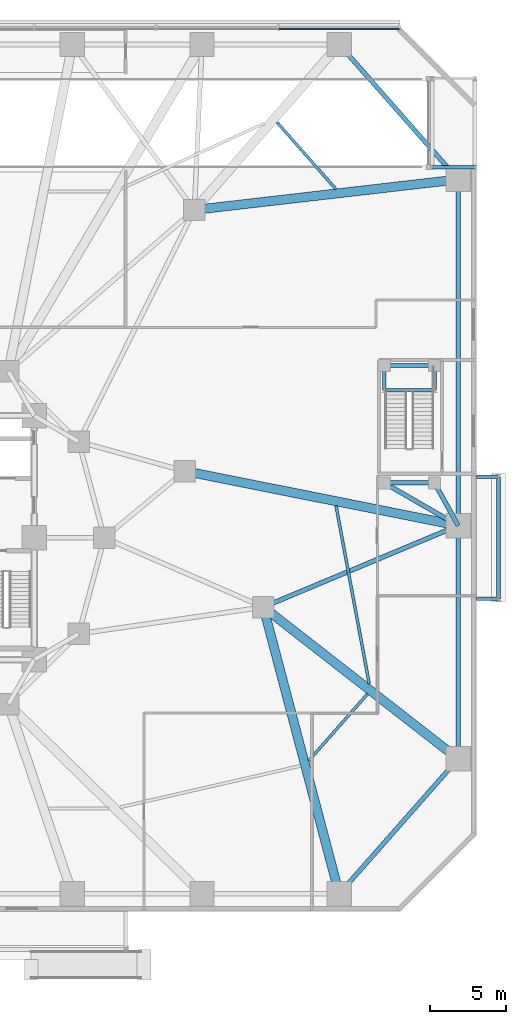
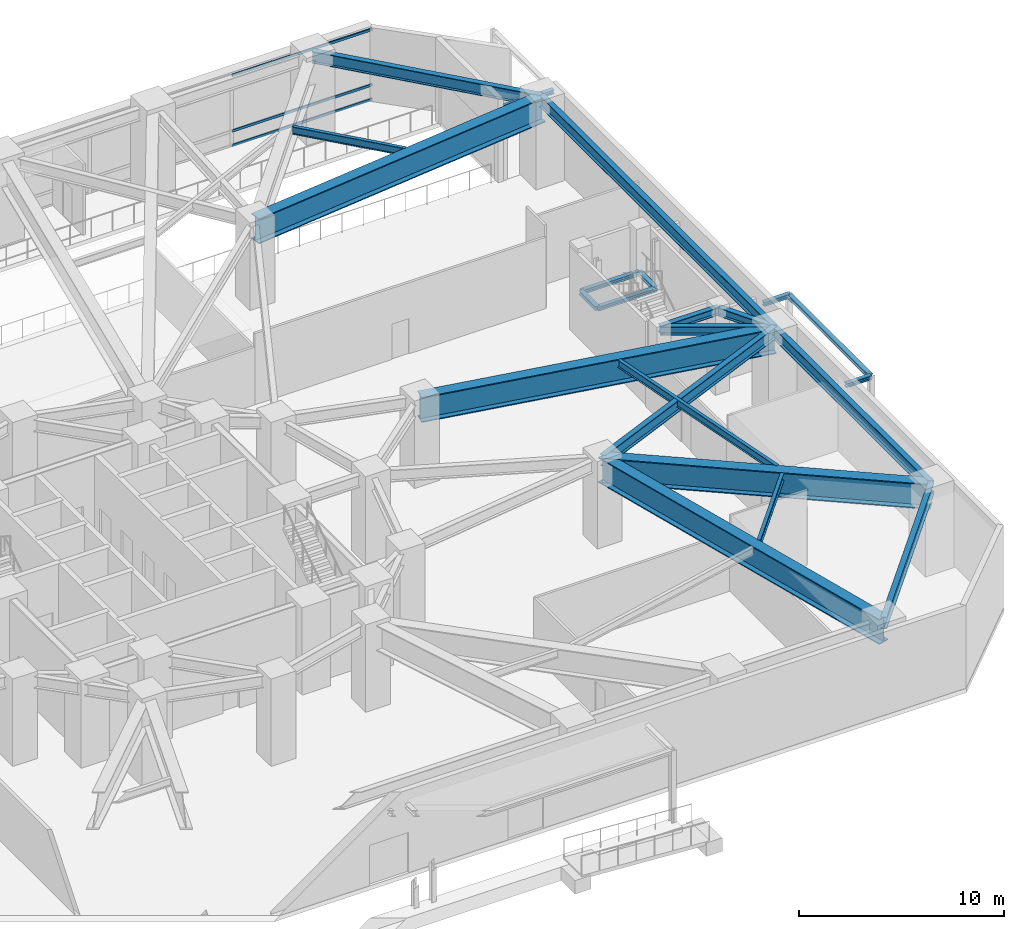
# One storey, part 13 of 30: 23 beams, 3 members, 1 element without a shape of its own.
"""IFC4 building model written with IfcOpenShell, lengths in metres."""

from ifc_helpers import new_model, si_unit, direction, frame, origin, origin_2d, place, context, subcontext, project, spatial, rectangle, i_section, extrude, material, layer, layer_set, material_profile, profile_set, type_object, element, aggregate, save


model = new_model("IFC4")

# Units and contexts
model_context = context("Model", 3, precision=1e-05, world=origin(), true_north=direction((0.0, 1.0)))
body_context = subcontext(model_context, "Body", "Model", "MODEL_VIEW")
ifc_project = project(units=[si_unit("LENGTHUNIT", "METRE"), si_unit("AREAUNIT", "SQUARE_METRE"), si_unit("VOLUMEUNIT", "CUBIC_METRE"), si_unit("PLANEANGLEUNIT", "RADIAN"), si_unit("MASSUNIT", "GRAM", prefix="KILO")], contexts=[model_context])

# Site, building, storey
site_placement = place(None, origin())
site = spatial("IfcSite", under=ifc_project, at=site_placement, CompositionType="ELEMENT")
building_placement = place(site_placement, origin())
building = spatial("IfcBuilding", under=site, at=building_placement, Name="Terralouvre Media Tower", CompositionType="ELEMENT")
storey_placement = place(building_placement, origin())
storey = spatial("IfcBuildingStorey", under=building, at=storey_placement, Name="L00", CompositionType="ELEMENT", Elevation=0.0)

# Beams
ifc_material_1 = material(Name="Structural steel S355J2", Category="steel")
ifc_material_profile_1 = material_profile(ifc_material_1, i_section(OverallWidth=0.18994140625, OverallDepth=0.449951171875, WebThickness=0.009521484375, FlangeThickness=0.0146484375, at=origin_2d()), Name="IPE 450")
ifc_profile_set_1 = profile_set([ifc_material_profile_1], Name="Structural steel S355J2")
beam_type_1 = type_object("IfcBeamType", Name="Composite Floor Joist J-IPE450 (IPE 450)", PredefinedType="JOIST", material=ifc_profile_set_1)
beam_1_placement = place(storey_placement, frame((25.99853515625, -14.619140625, 4.72509765625), z_axis=(0.661194993308, 0.750214089994, 0.0), x_axis=(-0.750214089994, 0.661194993308, 0.0)))
element("IfcBeam", 1, at=beam_1_placement, inside=storey, type_object=beam_type_1, Name="L00 Framing Beam JT-L00-07", PredefinedType="JOIST", context=body_context, shape_type="SweptSolid", body=[
    extrude(i_section(OverallWidth=0.18994140625, OverallDepth=0.449951171875, WebThickness=0.009521484375, FlangeThickness=0.0146484375, at=origin_2d()), origin(), (0.0, 0.0, 1.0), 5.830810546875),
])
beam_2_placement = place(storey_placement, frame((29.968505859375, -9.578125, 4.72509765625), z_axis=(-0.183297587005, 0.983057472683, 0.0), x_axis=(-0.983057472683, -0.183297587005, 0.0)))
element("IfcBeam", 2, at=beam_2_placement, inside=storey, type_object=beam_type_1, Name="L00 Framing Beam JT-L00-08", PredefinedType="JOIST", context=body_context, shape_type="SweptSolid", body=[
    extrude(i_section(OverallWidth=0.18994140625, OverallDepth=0.449951171875, WebThickness=0.009521484375, FlangeThickness=0.0146484375, at=origin_2d()), origin(), (0.0, 0.0, 1.0), 11.87158203125),
])
beam_3_placement = place(storey_placement, frame((27.774658203125, 22.87255859375, 4.72509765625), z_axis=(-0.661186189243, 0.750221849292, 0.0), x_axis=(-0.750221849292, -0.661186189243, 0.0)))
element("IfcBeam", 3, at=beam_3_placement, inside=storey, type_object=beam_type_1, Name="L00 Framing Beam JT-L00-10", PredefinedType="JOIST", context=body_context, shape_type="SweptSolid", body=[
    extrude(i_section(OverallWidth=0.18994140625, OverallDepth=0.449951171875, WebThickness=0.009521484375, FlangeThickness=0.0146484375, at=origin_2d()), origin(), (0.0, 0.0, 1.0), 5.82421875),
])

# Curtain wall, members
ifc_material_2 = material(Name="Low-iron laminated double glazing with solar-control coating", Category="glass")
ifc_layer = layer(ifc_material_2, 0.1650390625, Name="Podium Broadcast Gallery Glazing CW-01")
ifc_layer_set = layer_set([ifc_layer], Name="Low-iron laminated double glazing with solar-control coating")
curtain_wall_type = type_object("IfcCurtainWallType", Name="Podium Broadcast Gallery Glazing CW-01", PredefinedType="NOTDEFINED", material=ifc_layer_set)
curtain_wall_placement = place(storey_placement, origin())
curtain_wall = element("IfcCurtainWall", 4, at=curtain_wall_placement, inside=storey, type_object=curtain_wall_type, Name="L00 Podium Curtain Wall F4", PredefinedType="NOTDEFINED")
ifc_material_3 = material(Name="Anodised extruded aluminium 6063-T6", Category="aluminium")
ifc_material_profile_2 = material_profile(ifc_material_3, rectangle(XDim=0.074951171875, YDim=0.14990234375, at=origin_2d()), Name="ALU 75x150")
ifc_profile_set_2 = profile_set([ifc_material_profile_2], Name="Anodised extruded aluminium 6063-T6")
member_type = type_object("IfcMemberType", Name="Curtain-Wall Horizontal Transom TR-150", PredefinedType="USERDEFINED", material=ifc_profile_set_2)
member_1_placement = place(storey_placement, frame((31.925048828125, 33.360107421875, 0.03759765625), z_axis=(-1.0, 0.0, 0.0), x_axis=(0.0, -1.0, 0.0)))
member_1 = element("IfcMember", 5, at=member_1_placement, type_object=member_type, Name="CW-01 transom 1.1", ObjectType="TRANSOM", PredefinedType="USERDEFINED", context=body_context, shape_type="SweptSolid", body=[
    extrude(rectangle(XDim=0.074951171875, YDim=0.14990234375, at=origin_2d()), origin(), (0.0, 0.0, 1.0), 7.887451171875),
])
member_2_placement = place(storey_placement, frame((31.925048828125, 33.360107421875, 0.89990234375), z_axis=(-1.0, 0.0, 0.0), x_axis=(0.0, -1.0, 0.0)))
member_2 = element("IfcMember", 6, at=member_2_placement, type_object=member_type, Name="CW-01 transom 1.2", ObjectType="TRANSOM", PredefinedType="USERDEFINED", context=body_context, shape_type="SweptSolid", body=[
    extrude(rectangle(XDim=0.074951171875, YDim=0.14990234375, at=origin_2d()), origin(), (0.0, 0.0, 1.0), 7.887451171875),
])
member_3_placement = place(storey_placement, frame((31.925048828125, 33.360107421875, 4.1923828125), z_axis=(-1.0, 0.0, 0.0), x_axis=(0.0, -1.0, 0.0)))
member_3 = element("IfcMember", 7, at=member_3_placement, type_object=member_type, Name="CW-01 transom 1.3", ObjectType="TRANSOM", PredefinedType="USERDEFINED", context=body_context, shape_type="SweptSolid", body=[
    extrude(rectangle(XDim=0.074951171875, YDim=0.14990234375, at=origin_2d()), origin(), (0.0, 0.0, 1.0), 7.887451171875),
])
aggregate(curtain_wall, [member_1, member_2, member_3])

# Beams
ifc_material_4 = material(Name="Structural steel S355J2", Category="steel")
ifc_material_profile_3 = material_profile(ifc_material_4, i_section(OverallWidth=0.239990234375, OverallDepth=0.239990234375, WebThickness=0.010009765625, FlangeThickness=0.01708984375, at=origin_2d()), Name="HEB 240")
ifc_profile_set_3 = profile_set([ifc_material_profile_3], Name="Structural steel S355J2")
beam_type_2 = type_object("IfcBeamType", Name="Opening Lintel Beam LN-240H (HEB 240)", PredefinedType="LINTEL", material=ifc_profile_set_3)
beam_4_placement = place(storey_placement, frame((38.449951171875, -4.0, 3.8798828125), z_axis=(0.0, 1.0, 0.0), x_axis=(-1.0, 0.0, 0.0)))
element("IfcBeam", 8, at=beam_4_placement, inside=storey, type_object=beam_type_2, Name="L00 Canopy Framing Beam CANE1-1", PredefinedType="LINTEL", context=body_context, shape_type="SweptSolid", body=[
    extrude(i_section(OverallWidth=0.239990234375, OverallDepth=0.239990234375, WebThickness=0.010009765625, FlangeThickness=0.01708984375, at=origin_2d()), origin(), (0.0, 0.0, 1.0), 8.0),
])
for number, where, z_axis, x_axis, name in (
    (9, (38.449951171875, -4.0, 3.8798828125), (-1.0, 0.0, 0.0), (0.0, -1.0, 0.0), "L00 Canopy Framing Beam CANE1-2"),
    (10, (38.449951171875, 4.0, 3.8798828125), (-1.0, 0.0, 0.0), (0.0, -1.0, 0.0), "L00 Canopy Framing Beam CANE1-3"),
):
    element("IfcBeam", number, at=place(storey_placement, frame(where, z_axis=z_axis, x_axis=x_axis)), inside=storey, type_object=beam_type_2, Name=name, PredefinedType="LINTEL", context=body_context, shape_type="SweptSolid", body=[
        extrude(i_section(OverallWidth=0.239990234375, OverallDepth=0.239990234375, WebThickness=0.010009765625, FlangeThickness=0.01708984375, at=origin_2d()), origin(), (0.0, 0.0, 1.0), 1.449951171875),
    ])
beam_5_placement = place(storey_placement, frame((34.10009765625, 24.300048828125, 4.280029296875), z_axis=(1.0, 0.0, 0.0), x_axis=(0.0, 1.0, 0.0)))
element("IfcBeam", 11, at=beam_5_placement, inside=storey, type_object=beam_type_2, Name="L00 Canopy Framing Beam CANDK-1", PredefinedType="LINTEL", context=body_context, shape_type="SweptSolid", body=[
    extrude(i_section(OverallWidth=0.239990234375, OverallDepth=0.239990234375, WebThickness=0.010009765625, FlangeThickness=0.01708984375, at=origin_2d()), origin(), (0.0, 0.0, 1.0), 2.7998046875),
])
for number, where, z_axis, x_axis, name in (
    (12, (30.949951171875, 9.679931640625, 2.280029296875), (0.0, 1.0, 0.0), (-1.0, 0.0, 0.0), "L00 ST-04 Intermediate Landing Support Beam 1W"),
    (13, (34.25, 9.679931640625, 2.280029296875), (0.0, 1.0, 0.0), (-1.0, 0.0, 0.0), "L00 ST-04 Intermediate Landing Support Beam 1E"),
):
    element("IfcBeam", number, at=place(storey_placement, frame(where, z_axis=z_axis, x_axis=x_axis)), inside=storey, type_object=beam_type_2, Name=name, PredefinedType="LINTEL", context=body_context, shape_type="SweptSolid", body=[
        extrude(i_section(OverallWidth=0.239990234375, OverallDepth=0.239990234375, WebThickness=0.010009765625, FlangeThickness=0.01708984375, at=origin_2d()), origin(), (0.0, 0.0, 1.0), 1.6201171875),
    ])
for number, where, z_axis, x_axis, name in (
    (14, (30.949951171875, 9.679931640625, 2.280029296875), (1.0, 0.0, 0.0), (0.0, 1.0, 0.0), "L00 ST-04 Intermediate Landing Support Beam 1S"),
    (15, (30.949951171875, 11.300048828125, 2.280029296875), (1.0, 0.0, 0.0), (0.0, 1.0, 0.0), "L00 ST-04 Intermediate Landing Support Beam 1X"),
):
    element("IfcBeam", number, at=place(storey_placement, frame(where, z_axis=z_axis, x_axis=x_axis)), inside=storey, type_object=beam_type_2, Name=name, PredefinedType="LINTEL", context=body_context, shape_type="SweptSolid", body=[
        extrude(i_section(OverallWidth=0.239990234375, OverallDepth=0.239990234375, WebThickness=0.010009765625, FlangeThickness=0.01708984375, at=origin_2d()), origin(), (0.0, 0.0, 1.0), 3.300048828125),
    ])
ifc_material_5 = material(Name="Structural steel S355J2", Category="steel")
ifc_material_profile_4 = material_profile(ifc_material_5, i_section(OverallWidth=0.300048828125, OverallDepth=0.449951171875, WebThickness=0.013916015625, FlangeThickness=0.02587890625, at=origin_2d()), Name="HEB 450")
ifc_profile_set_4 = profile_set([ifc_material_profile_4], Name="Structural steel S355J2")
beam_type_3 = type_object("IfcBeamType", Name="Primary Floor Girder B-HEB450 (HEB 450)", PredefinedType="BEAM", material=ifc_profile_set_4)
beam_6_placement = place(storey_placement, frame((30.949951171875, 3.60009765625, 4.72509765625), z_axis=(1.0, 0.0, 0.0), x_axis=(0.0, 1.0, 0.0)))
element("IfcBeam", 16, at=beam_6_placement, inside=storey, type_object=beam_type_3, Name="L00 Framing Beam BM-L00-PVST41", PredefinedType="BEAM", context=body_context, shape_type="SweptSolid", body=[
    extrude(i_section(OverallWidth=0.300048828125, OverallDepth=0.449951171875, WebThickness=0.013916015625, FlangeThickness=0.02587890625, at=origin_2d()), origin(), (0.0, 0.0, 1.0), 3.300048828125),
])
ifc_material_6 = material(Name="Structural steel S355J2", Category="steel")
ifc_material_profile_5 = material_profile(ifc_material_6, i_section(OverallWidth=0.300048828125, OverallDepth=0.5, WebThickness=0.014404296875, FlangeThickness=0.028076171875, at=origin_2d()), Name="HEB 500")
ifc_profile_set_5 = profile_set([ifc_material_profile_5], Name="Structural steel S355J2")
beam_type_4 = type_object("IfcBeamType", Name="Primary Floor Girder B-HEB500 (HEB 500)", PredefinedType="BEAM", material=ifc_profile_set_5)
beam_7_placement = place(storey_placement, frame((30.949951171875, 3.60009765625, 4.699951171875), z_axis=(0.866037493094, -0.499979060117, 0.0), x_axis=(0.499979060117, 0.866037493094, 0.0)))
element("IfcBeam", 17, at=beam_7_placement, inside=storey, type_object=beam_type_4, Name="L00 Framing Beam BM-L00-PVTST41", PredefinedType="BEAM", context=body_context, shape_type="SweptSolid", body=[
    extrude(i_section(OverallWidth=0.300048828125, OverallDepth=0.5, WebThickness=0.014404296875, FlangeThickness=0.028076171875, at=origin_2d()), origin(), (0.0, 0.0, 1.0), 5.600341796875),
])
beam_8_placement = place(storey_placement, frame((34.25, 3.60009765625, 4.699951171875), z_axis=(0.484321096397, -0.874890322032, 0.0), x_axis=(0.874890322032, 0.484321096397, 0.0)))
element("IfcBeam", 18, at=beam_8_placement, inside=storey, type_object=beam_type_4, Name="L00 Framing Beam BM-L00-PVTST42", PredefinedType="BEAM", context=body_context, shape_type="SweptSolid", body=[
    extrude(i_section(OverallWidth=0.300048828125, OverallDepth=0.5, WebThickness=0.014404296875, FlangeThickness=0.028076171875, at=origin_2d()), origin(), (0.0, 0.0, 1.0), 3.200439453125),
])
ifc_material_7 = material(Name="Structural steel S460M", Category="steel")
ifc_material_profile_6 = material_profile(ifc_material_7, i_section(OverallWidth=0.300048828125, OverallDepth=0.699951171875, WebThickness=0.01708984375, FlangeThickness=0.031982421875, at=origin_2d()), Name="HEB 700")
ifc_profile_set_6 = profile_set([ifc_material_profile_6], Name="Structural steel S460M")
beam_type_5 = type_object("IfcBeamType", Name="Primary Floor Girder B-HEB700 (HEB 700)", PredefinedType="BEAM", material=ifc_profile_set_6)
beam_9_placement = place(storey_placement, frame((23.02490234375, -4.546630859375, 4.60009765625), z_axis=(0.922468147364, 0.386073201737, 0.0), x_axis=(-0.386073201737, 0.922468147364, 0.0)))
element("IfcBeam", 19, at=beam_9_placement, inside=storey, type_object=beam_type_5, Name="L00 Framing Beam BM-L00-PM21P1", PredefinedType="BEAM", context=body_context, shape_type="SweptSolid", body=[
    extrude(i_section(OverallWidth=0.300048828125, OverallDepth=0.699951171875, WebThickness=0.01708984375, FlangeThickness=0.031982421875, at=origin_2d()), origin(), (0.0, 0.0, 1.0), 13.848876953125),
])
beam_10_placement = place(storey_placement, frame((28.0, -23.35009765625, 4.60009765625), z_axis=(0.661199207896, 0.75021037548, 0.0), x_axis=(-0.75021037548, 0.661199207896, 0.0)))
element("IfcBeam", 20, at=beam_10_placement, inside=storey, type_object=beam_type_5, Name="L00 Framing Beam BM-L00-PR07", PredefinedType="BEAM", context=body_context, shape_type="SweptSolid", body=[
    extrude(i_section(OverallWidth=0.300048828125, OverallDepth=0.699951171875, WebThickness=0.01708984375, FlangeThickness=0.031982421875, at=origin_2d()), origin(), (0.0, 0.0, 1.0), 11.796875),
])
beam_11_placement = place(storey_placement, frame((35.800048828125, -14.5, 4.60009765625), z_axis=(0.0, 1.0, 0.0), x_axis=(-1.0, 0.0, 0.0)))
element("IfcBeam", 21, at=beam_11_placement, inside=storey, type_object=beam_type_5, Name="L00 Framing Beam BM-L00-PR08", PredefinedType="BEAM", context=body_context, shape_type="SweptSolid", body=[
    extrude(i_section(OverallWidth=0.300048828125, OverallDepth=0.699951171875, WebThickness=0.01708984375, FlangeThickness=0.031982421875, at=origin_2d()), origin(), (0.0, 0.0, 1.0), 15.300048828125),
])
beam_12_placement = place(storey_placement, frame((35.800048828125, 0.800048828125, 4.60009765625), z_axis=(0.0, 1.0, 0.0), x_axis=(-1.0, 0.0, 0.0)))
element("IfcBeam", 22, at=beam_12_placement, inside=storey, type_object=beam_type_5, Name="L00 Framing Beam BM-L00-PR09", PredefinedType="BEAM", context=body_context, shape_type="SweptSolid", body=[
    extrude(i_section(OverallWidth=0.300048828125, OverallDepth=0.699951171875, WebThickness=0.01708984375, FlangeThickness=0.031982421875, at=origin_2d()), origin(), (0.0, 0.0, 1.0), 22.699951171875),
])
beam_13_placement = place(storey_placement, frame((35.800048828125, 23.5, 4.60009765625), z_axis=(-0.661199207896, 0.75021037548, 0.0), x_axis=(-0.75021037548, -0.661199207896, 0.0)))
element("IfcBeam", 23, at=beam_13_placement, inside=storey, type_object=beam_type_5, Name="L00 Framing Beam BM-L00-PR10", PredefinedType="BEAM", context=body_context, shape_type="SweptSolid", body=[
    extrude(i_section(OverallWidth=0.300048828125, OverallDepth=0.699951171875, WebThickness=0.01708984375, FlangeThickness=0.031982421875, at=origin_2d()), origin(), (0.0, 0.0, 1.0), 11.796875),
])
ifc_material_8 = material(Name="Structural steel S460M", Category="steel")
ifc_material_profile_7 = material_profile(ifc_material_8, i_section(OverallWidth=0.60009765625, OverallDepth=1.5, WebThickness=0.033935546875, FlangeThickness=0.054931640625, at=origin_2d()), Name="PG 1500x600")
ifc_profile_set_7 = profile_set([ifc_material_profile_7], Name="Structural steel S460M")
beam_type_6 = type_object("IfcBeamType", Name="Primary Floor Girder B-PG1500 (PG 1500x600)", PredefinedType="BEAM", material=ifc_profile_set_7)
beam_14_placement = place(storey_placement, frame((23.02490234375, -4.546630859375, 4.199951171875), z_axis=(0.25578250381, -0.966734353762, 0.0), x_axis=(0.966734353762, 0.25578250381, 0.0)))
element("IfcBeam", 24, at=beam_14_placement, inside=storey, type_object=beam_type_6, Name="L00 Framing Beam BM-L00-RD07", PredefinedType="BEAM", context=body_context, shape_type="SweptSolid", body=[
    extrude(i_section(OverallWidth=0.60009765625, OverallDepth=1.5, WebThickness=0.033935546875, FlangeThickness=0.054931640625, at=origin_2d()), origin(), (0.0, 0.0, 1.0), 19.450439453125),
])
beam_15_placement = place(storey_placement, frame((23.02490234375, -4.546630859375, 4.199951171875), z_axis=(0.788838921833, -0.614599996259, 0.0), x_axis=(0.614599996259, 0.788838921833, 0.0)))
element("IfcBeam", 25, at=beam_15_placement, inside=storey, type_object=beam_type_6, Name="L00 Framing Beam BM-L00-RD08", PredefinedType="BEAM", context=body_context, shape_type="SweptSolid", body=[
    extrude(i_section(OverallWidth=0.60009765625, OverallDepth=1.5, WebThickness=0.033935546875, FlangeThickness=0.054931640625, at=origin_2d()), origin(), (0.0, 0.0, 1.0), 16.19482421875),
])
beam_16_placement = place(storey_placement, frame((17.874755859375, 4.373291015625, 4.199951171875), z_axis=(0.980704802412, -0.19549447697, 0.0), x_axis=(0.19549447697, 0.980704802412, 0.0)))
element("IfcBeam", 26, at=beam_16_placement, inside=storey, type_object=beam_type_6, Name="L00 Framing Beam BM-L00-RD09", PredefinedType="BEAM", context=body_context, shape_type="SweptSolid", body=[
    extrude(i_section(OverallWidth=0.60009765625, OverallDepth=1.5, WebThickness=0.033935546875, FlangeThickness=0.054931640625, at=origin_2d()), origin(), (0.0, 0.0, 1.0), 18.278076171875),
])
beam_17_placement = place(storey_placement, frame((18.5, 21.5, 4.199951171875), z_axis=(0.993383801046, 0.114841733791, 0.0), x_axis=(-0.114841733791, 0.993383801046, 0.0)))
element("IfcBeam", 27, at=beam_17_placement, inside=storey, type_object=beam_type_6, Name="L00 Framing Beam BM-L00-RD10", PredefinedType="BEAM", context=body_context, shape_type="SweptSolid", body=[
    extrude(i_section(OverallWidth=0.60009765625, OverallDepth=1.5, WebThickness=0.033935546875, FlangeThickness=0.054931640625, at=origin_2d()), origin(), (0.0, 0.0, 1.0), 17.415283203125),
])

save(model, "model.ifc")
